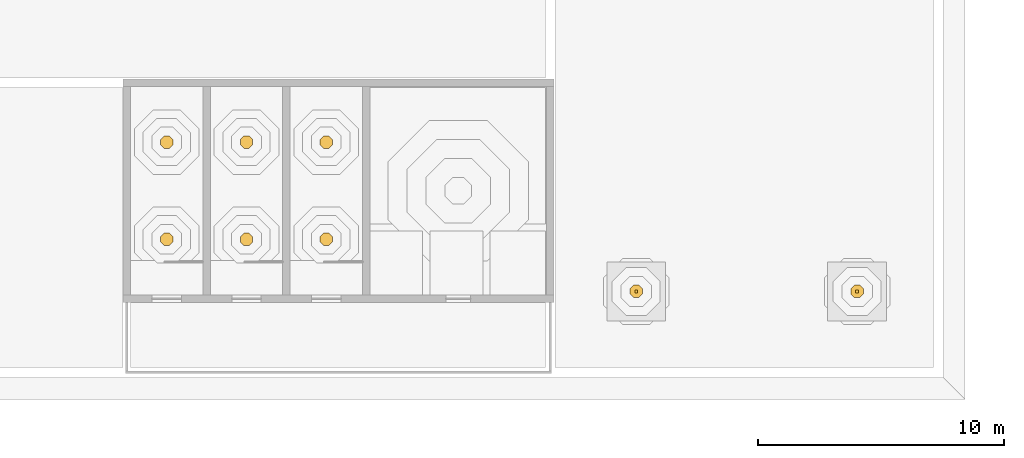
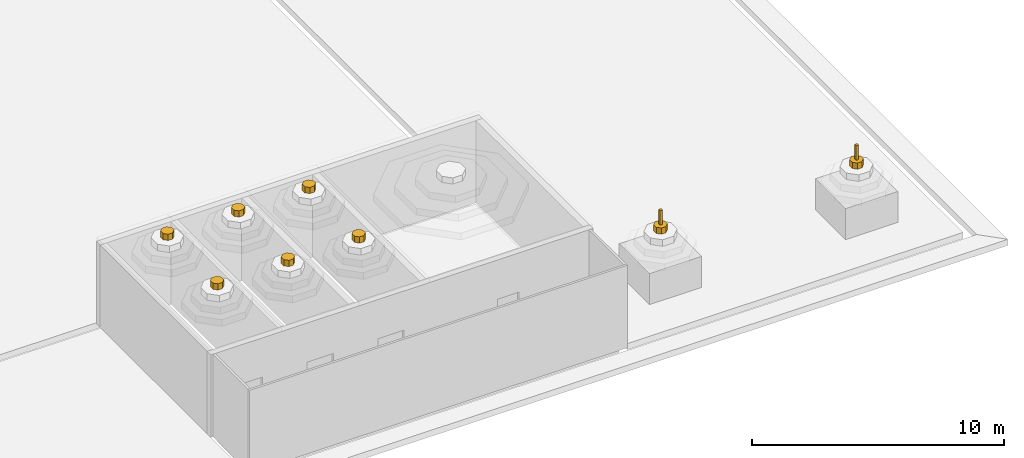
# One storey, part 62 of 63: 10 coverings.
"""IFC4 building model written with IfcOpenShell, lengths in metres."""

from ifc_helpers import new_model, si_unit, direction, frame, origin, origin_2d, place, context, subcontext, project, spatial, polyline, rectangle, outline, extrude, material, layer, layer_set, type_object, element, save


model = new_model("IFC4")

# Units and contexts
model_context = context("Model", 3, precision=1e-05, world=origin(), true_north=direction((0.0, 1.0)))
body_context = subcontext(model_context, "Body", "Model", "MODEL_VIEW")
ifc_project = project(units=[si_unit("LENGTHUNIT", "METRE"), si_unit("AREAUNIT", "SQUARE_METRE"), si_unit("VOLUMEUNIT", "CUBIC_METRE"), si_unit("PLANEANGLEUNIT", "RADIAN"), si_unit("MASSUNIT", "GRAM", prefix="KILO")], contexts=[model_context])

# Site, building, storey
site_placement = place(None, origin())
site = spatial("IfcSite", under=ifc_project, at=site_placement, CompositionType="ELEMENT")
building_placement = place(site_placement, origin())
building = spatial("IfcBuilding", under=site, at=building_placement, Name="Noorbagh Ring Tower", CompositionType="ELEMENT")
storey_placement = place(building_placement, frame((0.0, 0.0, 25.0)))
storey = spatial("IfcBuildingStorey", under=building, at=storey_placement, Name="L04", CompositionType="ELEMENT", Elevation=25.0)

# Coverings
ifc_material_1 = material(Name="Cream sandstone dome cladding", Category="masonry")
ifc_layer = layer(ifc_material_1, 0.300048828125)
ifc_layer_set = layer_set([ifc_layer], Name="Cream sandstone dome cladding")
covering_type_1 = type_object("IfcCoveringType", Name="STH-DOME", PredefinedType="ROOFING", material=ifc_layer_set)
covering_1_placement = place(storey_placement, frame((0.0, 0.0, 5.159912109375)))
element("IfcCovering", 1, at=covering_1_placement, inside=storey, type_object=covering_type_1, Name="Dome over the stair head", PredefinedType="ROOFING", context=body_context, shape_type="SweptSolid", body=[
    extrude(outline(polyline([(-126.375, -15.2763671875), (-126.521484375, -15.1298828125), (-126.728515625, -15.1298828125), (-126.875, -15.2763671875), (-126.875, -15.483642578125), (-126.728515625, -15.630126953125), (-126.521484375, -15.630126953125), (-126.375, -15.483642578125), (-126.375, -15.2763671875)])), origin(), (0.0, 0.0, 1.0), 0.300048828125),
])
covering_2_placement = place(storey_placement, frame((0.0, 0.0, 5.159912109375)))
element("IfcCovering", 2, at=covering_2_placement, inside=storey, type_object=covering_type_1, Name="Dome over the stair head", PredefinedType="ROOFING", context=body_context, shape_type="SweptSolid", body=[
    extrude(outline(polyline([(-126.375, -11.31640625), (-126.521484375, -11.169921875), (-126.728515625, -11.169921875), (-126.875, -11.31640625), (-126.875, -11.523681640625), (-126.728515625, -11.670166015625), (-126.521484375, -11.670166015625), (-126.375, -11.523681640625), (-126.375, -11.31640625)])), origin(), (0.0, 0.0, 1.0), 0.300048828125),
])
covering_3_placement = place(storey_placement, frame((0.0, 0.0, 5.159912109375)))
element("IfcCovering", 3, at=covering_3_placement, inside=storey, type_object=covering_type_1, Name="Dome over the stair head", PredefinedType="ROOFING", context=body_context, shape_type="SweptSolid", body=[
    extrude(outline(polyline([(-123.125, -15.2763671875), (-123.271484375, -15.1298828125), (-123.478515625, -15.1298828125), (-123.625, -15.2763671875), (-123.625, -15.483642578125), (-123.478515625, -15.630126953125), (-123.271484375, -15.630126953125), (-123.125, -15.483642578125), (-123.125, -15.2763671875)])), origin(), (0.0, 0.0, 1.0), 0.300048828125),
])
covering_4_placement = place(storey_placement, frame((0.0, 0.0, 5.159912109375)))
element("IfcCovering", 4, at=covering_4_placement, inside=storey, type_object=covering_type_1, Name="Dome over the stair head", PredefinedType="ROOFING", context=body_context, shape_type="SweptSolid", body=[
    extrude(outline(polyline([(-123.125, -11.31640625), (-123.271484375, -11.169921875), (-123.478515625, -11.169921875), (-123.625, -11.31640625), (-123.625, -11.523681640625), (-123.478515625, -11.670166015625), (-123.271484375, -11.670166015625), (-123.125, -11.523681640625), (-123.125, -11.31640625)])), origin(), (0.0, 0.0, 1.0), 0.300048828125),
])
covering_5_placement = place(storey_placement, frame((0.0, 0.0, 5.159912109375)))
element("IfcCovering", 5, at=covering_5_placement, inside=storey, type_object=covering_type_1, Name="Dome over the stair head", PredefinedType="ROOFING", context=body_context, shape_type="SweptSolid", body=[
    extrude(outline(polyline([(-119.875, -15.2763671875), (-120.021484375, -15.1298828125), (-120.228515625, -15.1298828125), (-120.375, -15.2763671875), (-120.375, -15.483642578125), (-120.228515625, -15.630126953125), (-120.021484375, -15.630126953125), (-119.875, -15.483642578125), (-119.875, -15.2763671875)])), origin(), (0.0, 0.0, 1.0), 0.300048828125),
])
covering_6_placement = place(storey_placement, frame((0.0, 0.0, 5.159912109375)))
element("IfcCovering", 6, at=covering_6_placement, inside=storey, type_object=covering_type_1, Name="Dome over the stair head", PredefinedType="ROOFING", context=body_context, shape_type="SweptSolid", body=[
    extrude(outline(polyline([(-119.875, -11.31640625), (-120.021484375, -11.169921875), (-120.228515625, -11.169921875), (-120.375, -11.31640625), (-120.375, -11.523681640625), (-120.228515625, -11.670166015625), (-120.021484375, -11.670166015625), (-119.875, -11.523681640625), (-119.875, -11.31640625)])), origin(), (0.0, 0.0, 1.0), 0.300048828125),
])
covering_7_placement = place(storey_placement, frame((0.0, 0.0, 2.4599609375)))
element("IfcCovering", 7, at=covering_7_placement, inside=storey, type_object=covering_type_1, Name="Dome over the stair head", PredefinedType="ROOFING", context=body_context, shape_type="SweptSolid", body=[
    extrude(outline(polyline([(-98.24560546875, -17.39453125), (-98.39453125, -17.24560546875), (-98.60546875, -17.24560546875), (-98.75439453125, -17.39453125), (-98.75439453125, -17.60546875), (-98.60546875, -17.75439453125), (-98.39453125, -17.75439453125), (-98.24560546875, -17.60546875), (-98.24560546875, -17.39453125)])), origin(), (0.0, 0.0, 1.0), 0.300048828125),
])
covering_8_placement = place(storey_placement, frame((0.0, 0.0, 2.4599609375)))
element("IfcCovering", 8, at=covering_8_placement, inside=storey, type_object=covering_type_1, Name="Dome over the stair head", PredefinedType="ROOFING", context=body_context, shape_type="SweptSolid", body=[
    extrude(outline(polyline([(-107.24560546875, -17.39453125), (-107.39453125, -17.24560546875), (-107.60546875, -17.24560546875), (-107.75439453125, -17.39453125), (-107.75439453125, -17.60546875), (-107.60546875, -17.75439453125), (-107.39453125, -17.75439453125), (-107.24560546875, -17.60546875), (-107.24560546875, -17.39453125)])), origin(), (0.0, 0.0, 1.0), 0.300048828125),
])
ifc_material_2 = material(Name="Brass finial")
covering_type_2 = type_object("IfcCoveringType", Name="STH-FINIAL", PredefinedType="ROOFING", material=ifc_material_2)
for number, where, z_axis, x_axis, name in (
    (9, (-98.5, -17.5, 2.76025390625), (0.0, 0.0, 1.0), (1.0, 0.0, 0.0), "Dome finial"),
    (10, (-107.5, -17.5, 2.76025390625), (0.0, 0.0, 1.0), (1.0, 0.0, 0.0), "Dome finial"),
):
    element("IfcCovering", number, at=place(storey_placement, frame(where, z_axis=z_axis, x_axis=x_axis)), inside=storey, type_object=covering_type_2, Name=name, PredefinedType="ROOFING", context=body_context, shape_type="SweptSolid", body=[
        extrude(rectangle(XDim=0.1201171875, YDim=0.1201171875, at=origin_2d()), origin(), (0.0, 0.0, 1.0), 0.699951171875),
    ])

save(model, "model.ifc")
